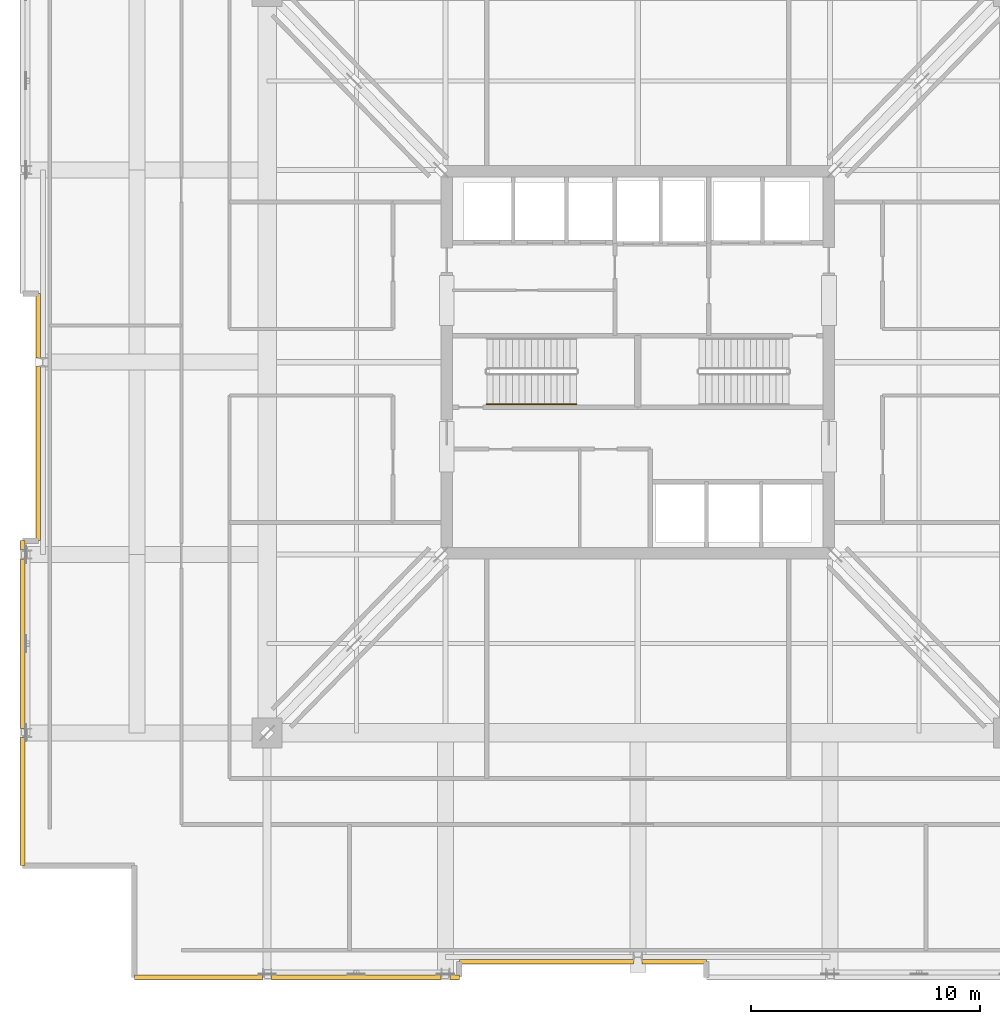
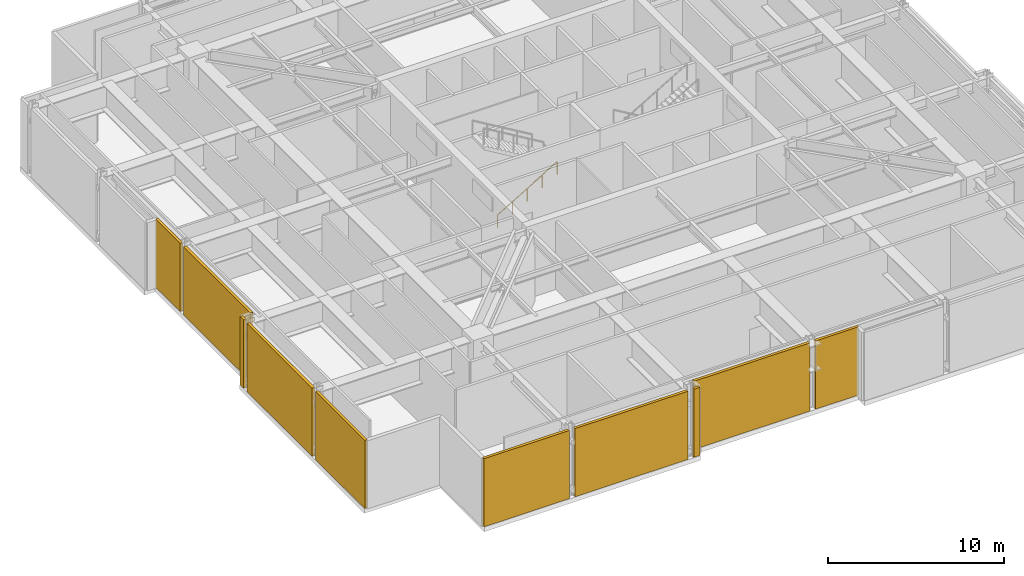
# One storey, part 10 of 13: 10 shading devices, 1 railing.
"""IFC4 building model written with IfcOpenShell, lengths in metres."""

from ifc_helpers import new_model, si_unit, direction, frame, origin, origin_2d, place, context, subcontext, project, spatial, rectangle, circle, extrude, material, layer, layer_set, type_object, element, save


model = new_model("IFC4")

# Units and contexts
model_context = context("Model", 3, precision=1e-05, world=origin(), true_north=direction((0.0, 1.0)))
body_context = subcontext(model_context, "Body", "Model", "MODEL_VIEW")
ifc_project = project(units=[si_unit("LENGTHUNIT", "METRE"), si_unit("AREAUNIT", "SQUARE_METRE"), si_unit("VOLUMEUNIT", "CUBIC_METRE"), si_unit("PLANEANGLEUNIT", "RADIAN"), si_unit("MASSUNIT", "GRAM", prefix="KILO")], contexts=[model_context])

# Site, building, storey
site_placement = place(None, origin())
site = spatial("IfcSite", under=ifc_project, at=site_placement, CompositionType="ELEMENT")
building_placement = place(site_placement, origin())
building = spatial("IfcBuilding", under=site, at=building_placement, Name="Drelvath Grand Hotel", CompositionType="ELEMENT")
storey_placement = place(building_placement, frame((0.0, 0.0, 200.10009765625)))
storey = spatial("IfcBuildingStorey", under=building, at=storey_placement, Name="L52", CompositionType="ELEMENT", Elevation=200.10009765625)

# Railing
ifc_material_1 = material(Name="Painted Steel S275", Category="steel")
railing_type = type_object("IfcRailingType", Name="Core Stair Wall Handrail 900", PredefinedType="HANDRAIL", material=ifc_material_1)
railing_placement = place(storey_placement, frame((-6.60009765625, 25.169921875, 0.16650390625)))
element("IfcRailing", 1, at=railing_placement, inside=storey, type_object=railing_type, Name="L52 ST-1 stair handrail 1", PredefinedType="HANDRAIL", context=body_context, shape_type="SweptSolid", body=[
    extrude(circle(Radius=0.02392578125, at=origin_2d()), frame((0.0, 0.0, 0.8759765625), z_axis=(0.859286724212, 0.0, 0.511494208758), x_axis=(0.0, 1.0, 0.0)), (0.0, 0.0, 1.0), 4.56201171875),
    extrude(circle(Radius=0.02099609375, at=origin_2d()), origin(), (0.0, 0.0, 1.0), 0.851806640625),
    extrude(circle(Radius=0.02099609375, at=origin_2d()), frame((0.97998046875, 0.0, 0.58349609375)), (0.0, 0.0, 1.0), 0.851806640625),
    extrude(circle(Radius=0.02099609375, at=origin_2d()), frame((1.9599609375, 0.0, 1.166748046875)), (0.0, 0.0, 1.0), 0.851806640625),
    extrude(circle(Radius=0.02099609375, at=origin_2d()), frame((2.940185546875, 0.0, 1.75)), (0.0, 0.0, 1.0), 0.851806640625),
    extrude(circle(Radius=0.02099609375, at=origin_2d()), frame((3.920166015625, 0.0, 2.33349609375)), (0.0, 0.0, 1.0), 0.851806640625),
])

# Shading devices
ifc_material_2 = material(Name="Pale-Metal Anodised Aluminium Louvre", Category="aluminium")
ifc_layer = layer(ifc_material_2, 0.179931640625)
ifc_layer_set = layer_set([ifc_layer], Name="Pale-Metal Anodised Aluminium Louvre")
shading_device_type = type_object("IfcShadingDeviceType", Name="Mechanical Acoustic Weather Louvre Pale-Metal 180", PredefinedType="USERDEFINED", material=ifc_layer_set)
shading_device_1_placement = place(storey_placement, frame((-26.8798828125, 7.80419921875, 0.0), z_axis=(0.0, 0.0, 1.0), x_axis=(0.0, 1.0, 0.0)))
element("IfcShadingDevice", 2, at=shading_device_1_placement, inside=storey, type_object=shading_device_type, Name="L52 Mechanical Plant Acoustic Louvre WS-1", ObjectType="LOUVRE", PredefinedType="USERDEFINED", context=body_context, shape_type="SweptSolid", body=[
    extrude(rectangle(XDim=5.6083984375, YDim=0.179931640625, at=origin_2d()), origin(), (0.0, 0.0, 1.0), 4.739990234375),
])
shading_device_2_placement = place(storey_placement, frame((-26.8798828125, 14.7001953125, 0.0), z_axis=(0.0, 0.0, 1.0), x_axis=(0.0, 1.0, 0.0)))
element("IfcShadingDevice", 3, at=shading_device_2_placement, inside=storey, type_object=shading_device_type, Name="L52 Mechanical Plant Acoustic Louvre WS-2", ObjectType="LOUVRE", PredefinedType="USERDEFINED", context=body_context, shape_type="SweptSolid", body=[
    extrude(rectangle(XDim=7.416748046875, YDim=0.179931640625, at=origin_2d()), origin(), (0.0, 0.0, 1.0), 4.739990234375),
])
shading_device_3_placement = place(storey_placement, frame((-26.8798828125, 18.995849609375, 0.0), z_axis=(0.0, 0.0, 1.0), x_axis=(0.0, 1.0, 0.0)))
element("IfcShadingDevice", 4, at=shading_device_3_placement, inside=storey, type_object=shading_device_type, Name="L52 Mechanical Plant Acoustic Louvre WS-3", ObjectType="LOUVRE", PredefinedType="USERDEFINED", context=body_context, shape_type="SweptSolid", body=[
    extrude(rectangle(XDim=0.408203125, YDim=0.179931640625, at=origin_2d()), origin(), (0.0, 0.0, 1.0), 4.739990234375),
])
shading_device_4_placement = place(storey_placement, frame((-26.199951171875, 23.004150390625, 0.0), z_axis=(0.0, 0.0, 1.0), x_axis=(0.0, 1.0, 0.0)))
element("IfcShadingDevice", 5, at=shading_device_4_placement, inside=storey, type_object=shading_device_type, Name="L52 Mechanical Plant Acoustic Louvre WM-1", ObjectType="LOUVRE", PredefinedType="USERDEFINED", context=body_context, shape_type="SweptSolid", body=[
    extrude(rectangle(XDim=7.6083984375, YDim=0.179931640625, at=origin_2d()), origin(), (0.0, 0.0, 1.0), 4.739990234375),
])
shading_device_5_placement = place(storey_placement, frame((-26.199951171875, 28.595703125, 0.0), z_axis=(0.0, 0.0, 1.0), x_axis=(0.0, 1.0, 0.0)))
element("IfcShadingDevice", 6, at=shading_device_5_placement, inside=storey, type_object=shading_device_type, Name="L52 Mechanical Plant Acoustic Louvre WM-2", ObjectType="LOUVRE", PredefinedType="USERDEFINED", context=body_context, shape_type="SweptSolid", body=[
    extrude(rectangle(XDim=2.808349609375, YDim=0.179931640625, at=origin_2d()), origin(), (0.0, 0.0, 1.0), 4.739990234375),
])
shading_device_6_placement = place(storey_placement, frame((-3.995849609375, 0.800048828125, 0.0), z_axis=(0.0, 0.0, 1.0), x_axis=(1.0, 0.0, 0.0)))
element("IfcShadingDevice", 7, at=shading_device_6_placement, inside=storey, type_object=shading_device_type, Name="L52 Mechanical Plant Acoustic Louvre SM-1", ObjectType="LOUVRE", PredefinedType="USERDEFINED", context=body_context, shape_type="SweptSolid", body=[
    extrude(rectangle(XDim=7.6083984375, YDim=0.179931640625, at=origin_2d()), origin(), (0.0, 0.0, 1.0), 4.739990234375),
])
shading_device_7_placement = place(storey_placement, frame((1.595703125, 0.800048828125, 0.0), z_axis=(0.0, 0.0, 1.0), x_axis=(1.0, 0.0, 0.0)))
element("IfcShadingDevice", 8, at=shading_device_7_placement, inside=storey, type_object=shading_device_type, Name="L52 Mechanical Plant Acoustic Louvre SM-2", ObjectType="LOUVRE", PredefinedType="USERDEFINED", context=body_context, shape_type="SweptSolid", body=[
    extrude(rectangle(XDim=2.808349609375, YDim=0.179931640625, at=origin_2d()), origin(), (0.0, 0.0, 1.0), 4.739990234375),
])
shading_device_8_placement = place(storey_placement, frame((-19.19580078125, 0.1201171875, 0.0), z_axis=(0.0, 0.0, 1.0), x_axis=(1.0, 0.0, 0.0)))
element("IfcShadingDevice", 9, at=shading_device_8_placement, inside=storey, type_object=shading_device_type, Name="L52 Mechanical Plant Acoustic Louvre SW-1", ObjectType="LOUVRE", PredefinedType="USERDEFINED", context=body_context, shape_type="SweptSolid", body=[
    extrude(rectangle(XDim=5.6083984375, YDim=0.179931640625, at=origin_2d()), origin(), (0.0, 0.0, 1.0), 4.739990234375),
])
shading_device_9_placement = place(storey_placement, frame((-12.300048828125, 0.1201171875, 0.0), z_axis=(0.0, 0.0, 1.0), x_axis=(1.0, 0.0, 0.0)))
element("IfcShadingDevice", 10, at=shading_device_9_placement, inside=storey, type_object=shading_device_type, Name="L52 Mechanical Plant Acoustic Louvre SW-2", ObjectType="LOUVRE", PredefinedType="USERDEFINED", context=body_context, shape_type="SweptSolid", body=[
    extrude(rectangle(XDim=7.416748046875, YDim=0.179931640625, at=origin_2d()), origin(), (0.0, 0.0, 1.0), 4.739990234375),
])
shading_device_10_placement = place(storey_placement, frame((-8.004150390625, 0.1201171875, 0.0), z_axis=(0.0, 0.0, 1.0), x_axis=(1.0, 0.0, 0.0)))
element("IfcShadingDevice", 11, at=shading_device_10_placement, inside=storey, type_object=shading_device_type, Name="L52 Mechanical Plant Acoustic Louvre SW-3", ObjectType="LOUVRE", PredefinedType="USERDEFINED", context=body_context, shape_type="SweptSolid", body=[
    extrude(rectangle(XDim=0.408203125, YDim=0.179931640625, at=origin_2d()), origin(), (0.0, 0.0, 1.0), 4.739990234375),
])

save(model, "model.ifc")
